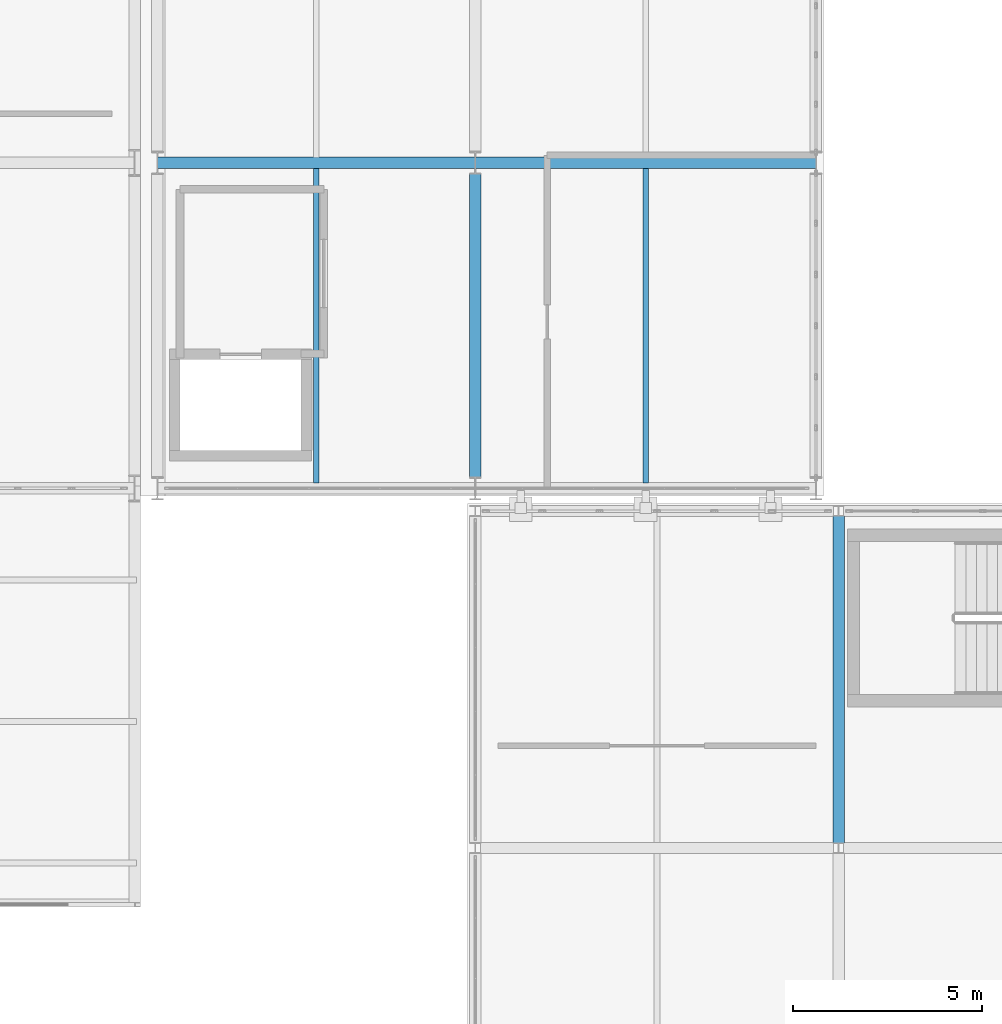
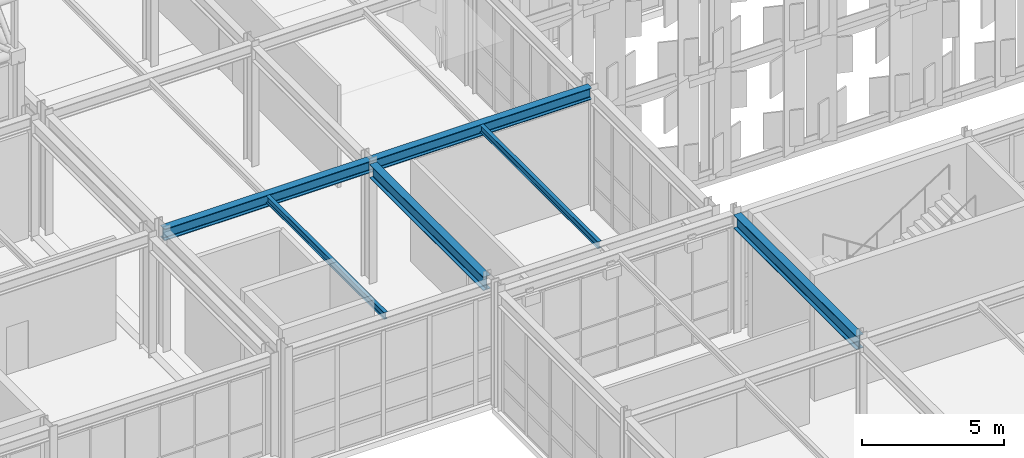
# One storey, part 145 of 239: 6 beams.
"""IFC4 building model written with IfcOpenShell, lengths in metres."""

from ifc_helpers import new_model, si_unit, direction, frame, origin, origin_2d, place, context, subcontext, project, spatial, i_section, extrude, material, material_profile, profile_set, type_object, element, save


model = new_model("IFC4")

# Units and contexts
model_context = context("Model", 3, precision=1e-05, world=origin(), true_north=direction((0.0, 1.0)))
body_context = subcontext(model_context, "Body", "Model", "MODEL_VIEW")
ifc_project = project(units=[si_unit("LENGTHUNIT", "METRE"), si_unit("AREAUNIT", "SQUARE_METRE"), si_unit("VOLUMEUNIT", "CUBIC_METRE"), si_unit("PLANEANGLEUNIT", "RADIAN"), si_unit("MASSUNIT", "GRAM", prefix="KILO")], contexts=[model_context])

# Site, building, storey
site_placement = place(None, origin())
site = spatial("IfcSite", under=ifc_project, at=site_placement, CompositionType="ELEMENT")
building_placement = place(site_placement, origin())
building = spatial("IfcBuilding", under=site, at=building_placement, Name="Kaldris Quays Convention Centre", CompositionType="ELEMENT")
storey_placement = place(building_placement, frame((0.0, 0.0, 11.39990234375)))
storey = spatial("IfcBuildingStorey", under=building, at=storey_placement, Name="L02", CompositionType="ELEMENT", Elevation=11.39990234375)

# Beams
ifc_material = material(Name="Steel S355J2", Category="steel")
ifc_material_profile_1 = material_profile(ifc_material, i_section(OverallWidth=0.300048828125, OverallDepth=0.5, WebThickness=0.014404296875, FlangeThickness=0.028076171875, FilletRadius=0.027099609375, at=origin_2d()), Name="HEB 500")
ifc_profile_set_1 = profile_set([ifc_material_profile_1], Name="Steel S355J2")
beam_type_1 = type_object("IfcBeamType", Name="STRUCTURAL BEAM BM06", PredefinedType="BEAM", material=ifc_profile_set_1)
beam_1_placement = place(storey_placement, frame((146.601806640625, 46.60009765625, 4.9130859375), z_axis=(1.0, 0.0, 0.0), x_axis=(0.0, 1.0, 0.0)))
element("IfcBeam", 1, at=beam_1_placement, inside=storey, type_object=beam_type_1, Name="L02 Girder BM06 17", PredefinedType="BEAM", context=body_context, shape_type="SweptSolid", body=[
    extrude(i_section(OverallWidth=0.300048828125, OverallDepth=0.5, WebThickness=0.014404296875, FlangeThickness=0.028076171875, FilletRadius=0.027099609375, at=origin_2d()), origin(), (0.0, 0.0, 1.0), 8.396484375),
])
beam_2_placement = place(storey_placement, frame((155.001708984375, 46.60009765625, 4.9130859375), z_axis=(1.0, 0.0, 0.0), x_axis=(0.0, 1.0, 0.0)))
element("IfcBeam", 2, at=beam_2_placement, inside=storey, type_object=beam_type_1, Name="L02 Girder BM06 18", PredefinedType="BEAM", context=body_context, shape_type="SweptSolid", body=[
    extrude(i_section(OverallWidth=0.300048828125, OverallDepth=0.5, WebThickness=0.014404296875, FlangeThickness=0.028076171875, FilletRadius=0.027099609375, at=origin_2d()), origin(), (0.0, 0.0, 1.0), 8.99658203125),
])
ifc_material_profile_2 = material_profile(ifc_material, i_section(OverallWidth=0.300048828125, OverallDepth=0.590087890625, WebThickness=0.012939453125, FlangeThickness=0.02490234375, FilletRadius=0.027099609375, at=origin_2d()), Name="HEA 600")
ifc_profile_set_2 = profile_set([ifc_material_profile_2], Name="Steel S355J2")
beam_type_2 = type_object("IfcBeamType", Name="STRUCTURAL BEAM BM08", PredefinedType="BEAM", material=ifc_profile_set_2)
beam_3_placement = place(storey_placement, frame((155.0, 38.2939453125, 4.8681640625), z_axis=(0.0, 1.0, 0.0), x_axis=(-1.0, 0.0, 0.0)))
element("IfcBeam", 3, at=beam_3_placement, inside=storey, type_object=beam_type_2, Name="L02 Girder BM08 78", PredefinedType="BEAM", context=body_context, shape_type="SweptSolid", body=[
    extrude(i_section(OverallWidth=0.300048828125, OverallDepth=0.590087890625, WebThickness=0.012939453125, FlangeThickness=0.02490234375, FilletRadius=0.027099609375, at=origin_2d()), origin(), (0.0, 0.0, 1.0), 8.011962890625),
])
beam_4_placement = place(storey_placement, frame((164.60009765625, 28.634033203125, 4.818115234375), z_axis=(0.0, 1.0, 0.0), x_axis=(-1.0, 0.0, 0.0)))
element("IfcBeam", 4, at=beam_4_placement, inside=storey, type_object=beam_type_2, Name="L02 Girder BM08 19", PredefinedType="BEAM", context=body_context, shape_type="SweptSolid", body=[
    extrude(i_section(OverallWidth=0.300048828125, OverallDepth=0.590087890625, WebThickness=0.012939453125, FlangeThickness=0.02490234375, FilletRadius=0.027099609375, at=origin_2d()), origin(), (0.0, 0.0, 1.0), 8.632080078125),
])
ifc_material_profile_3 = material_profile(ifc_material, i_section(OverallWidth=0.14990234375, OverallDepth=0.300048828125, WebThickness=0.007080078125, FlangeThickness=0.0107421875, FilletRadius=0.014892578125, at=origin_2d()), Name="IPE 300")
ifc_profile_set_3 = profile_set([ifc_material_profile_3], Name="Steel S355J2")
beam_type_3 = type_object("IfcBeamType", Name="STRUCTURAL BEAM JT04", PredefinedType="JOIST", material=ifc_profile_set_3)
for number, where, z_axis, x_axis, name in (
    (5, (150.800048828125, 38.14404296875, 5.01318359375), (0.0, 1.0, 0.0), (-1.0, 0.0, 0.0), "L02 Secondary Joist JT04 1"),
    (6, (159.5, 38.14404296875, 5.01318359375), (0.0, 1.0, 0.0), (-1.0, 0.0, 0.0), "L02 Secondary Joist JT04 2"),
):
    element("IfcBeam", number, at=place(storey_placement, frame(where, z_axis=z_axis, x_axis=x_axis)), inside=storey, type_object=beam_type_3, Name=name, PredefinedType="JOIST", context=body_context, shape_type="SweptSolid", body=[
        extrude(i_section(OverallWidth=0.14990234375, OverallDepth=0.300048828125, WebThickness=0.007080078125, FlangeThickness=0.0107421875, FilletRadius=0.014892578125, at=origin_2d()), origin(), (0.0, 0.0, 1.0), 8.31201171875),
    ])

save(model, "model.ifc")
